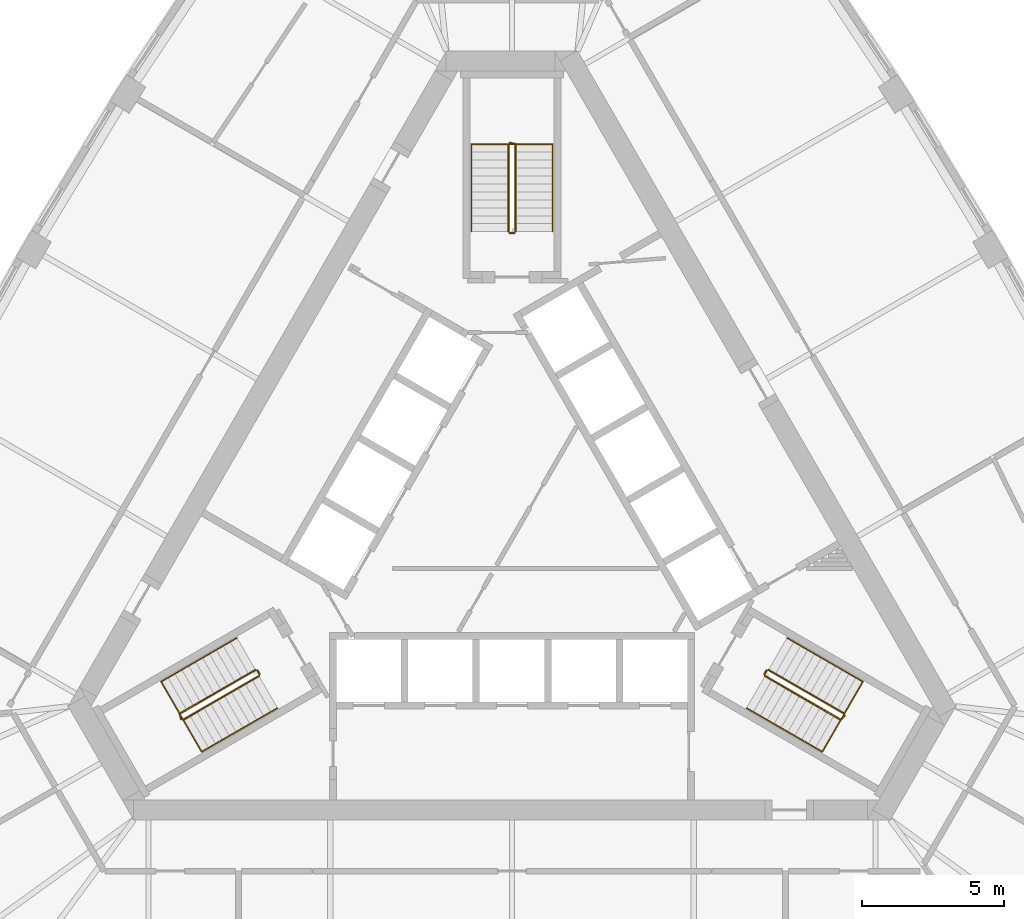
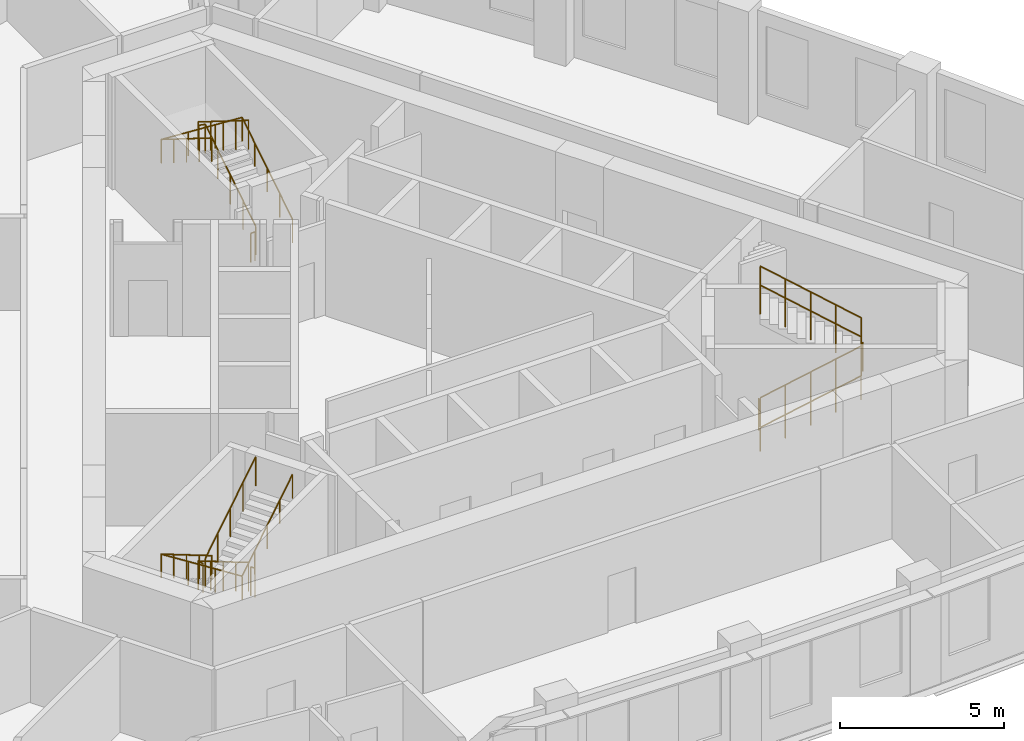
# One storey, part 10 of 10: 12 railings.
"""IFC4 building model written with IfcOpenShell, lengths in metres."""

import ifcopenshell
import ifcopenshell.guid

model = None  # the IFC model being written
_history = None  # IfcOwnerHistory: only IFC2X3 demands one
_inside = {}  # id of a spatial element -> (the spatial element, [elements in it])
_under = {}  # id of a project, library or spatial element -> (it, [spatial elements below it])
_declared = {}  # id of a project -> (the project, [libraries it declares])
_typed = {}  # id of a type object -> (the type object, [elements of that type])
_made_of = {}  # id of a material, layer set ... -> (it, [elements and type objects made of it])


def new_model(schema):
    """Start an empty IFC model of exactly this schema.

    Asked for "IFC4X3", IfcOpenShell would pick the latest addendum, in which some entities
    have other attributes; the version numbers below select the first issue.
    IFC2X3 requires an IfcOwnerHistory on every rooted entity: one is made here for all.
    """
    global model, _history
    if schema == "IFC4X3":
        model = ifcopenshell.file(schema_version=(4, 3, 0, 0))
    else:
        model = ifcopenshell.file(schema=schema)
    _inside.clear()
    _under.clear()
    _declared.clear()
    _typed.clear()
    _made_of.clear()
    _history = None
    if model.schema == "IFC2X3":
        org = make("IfcOrganization", Name="unknown")
        user = make(
            "IfcPersonAndOrganization",
            ThePerson=make("IfcPerson", FamilyName="unknown"),
            TheOrganization=org,
        )
        app = make(
            "IfcApplication",
            ApplicationDeveloper=org,
            Version="unknown",
            ApplicationFullName="unknown",
            ApplicationIdentifier="unknown",
        )
        _history = make(
            "IfcOwnerHistory",
            OwningUser=user,
            OwningApplication=app,
            ChangeAction="ADDED",
            CreationDate=0,
        )
    return model


def make(cls, **values):
    """One entity of the class cls with the attributes given. An attribute that is None is left unset."""
    return model.create_entity(
        cls, **{name: value for name, value in values.items() if value is not None}
    )


def rooted(cls, **values):
    """An entity with a GlobalId (a new one), such as an element, a storey or a relation."""
    return make(cls, GlobalId=ifcopenshell.guid.new(), OwnerHistory=_history, **values)


def si_unit(unit_type, name, prefix=None):
    """IfcSIUnit, for example si_unit("LENGTHUNIT", "METRE", prefix="MILLI")."""
    return make("IfcSIUnit", UnitType=unit_type, Prefix=prefix, Name=name)


def assignment(units):
    """IfcUnitAssignment: the units of a project."""
    return None if units is None else make("IfcUnitAssignment", Units=units)


def point(xyz):
    """IfcCartesianPoint."""
    return None if xyz is None else make("IfcCartesianPoint", Coordinates=xyz)


def direction(xyz):
    """IfcDirection."""
    return None if xyz is None else make("IfcDirection", DirectionRatios=xyz)


def frame(location, z_axis=None, x_axis=None):
    """IfcAxis2Placement3D, a coordinate frame: its origin and axes. An axis left out is left unset."""
    return make(
        "IfcAxis2Placement3D",
        Location=point(location),
        Axis=direction(z_axis),
        RefDirection=direction(x_axis),
    )


def frame_2d(location, x_axis=None):
    """IfcAxis2Placement2D, a coordinate frame in the plane: its origin and x axis."""
    return make(
        "IfcAxis2Placement2D", Location=point(location), RefDirection=direction(x_axis)
    )


def origin():
    """The frame at (0, 0, 0) with its axes left unset."""
    return frame((0.0, 0.0, 0.0))


def origin_2d():
    """The frame at (0, 0) in the plane with its x axis left unset."""
    return frame_2d((0.0, 0.0))


def place(relative_to, where):
    """IfcLocalPlacement: puts the frame where relative to a parent placement (None: the world)."""
    return make(
        "IfcLocalPlacement", PlacementRelTo=relative_to, RelativePlacement=where
    )


def context(
    kind, dimensions, precision=None, world=None, true_north=None, identifier=None
):
    """IfcGeometricRepresentationContext, for example the 3D "Model" context."""
    return make(
        "IfcGeometricRepresentationContext",
        ContextIdentifier=identifier,
        ContextType=kind,
        CoordinateSpaceDimension=dimensions,
        Precision=precision,
        WorldCoordinateSystem=world,
        TrueNorth=true_north,
    )


def subcontext(parent, identifier, kind, view, scale=None):
    """IfcGeometricRepresentationSubContext, for example "Body" below "Model"."""
    return make(
        "IfcGeometricRepresentationSubContext",
        ContextIdentifier=identifier,
        ContextType=kind,
        ParentContext=parent,
        TargetScale=scale,
        TargetView=view,
    )


def project(units=None, contexts=None):
    """IfcProject with its units and contexts."""
    return rooted(
        "IfcProject",
        Name="project",
        RepresentationContexts=contexts,
        UnitsInContext=assignment(units),
    )


def spatial(cls, under=None, at=None, **own):
    """A site, building, storey or space (cls), placed at a placement, below another one or the project."""
    s = rooted(cls, ObjectPlacement=at, **own)
    if under is not None:
        _under.setdefault(under.id(), (under, []))[1].append(s)
    return s


def profile(cls, at=None, kind="AREA", **sizes):
    """A parametric profile (cls). Its sizes go by their IFC names, for example OverallWidth=200.0."""
    return make(cls, ProfileType=kind, Position=at, **sizes)


def circle(**sizes):
    """IfcCircleProfileDef."""
    return profile("IfcCircleProfileDef", **sizes)


def extrude(swept, where, along, depth):
    """IfcExtrudedAreaSolid: the profile swept, set in the frame where, extruded along a direction by depth."""
    return make(
        "IfcExtrudedAreaSolid",
        SweptArea=swept,
        Position=where,
        ExtrudedDirection=direction(along),
        Depth=depth,
    )


def shape(context_of_items, identifier, shape_type, items):
    """IfcShapeRepresentation: the items that make up one representation, for example the "Body"."""
    return make(
        "IfcShapeRepresentation",
        ContextOfItems=context_of_items,
        RepresentationIdentifier=identifier,
        RepresentationType=shape_type,
        Items=items,
    )


def material(Name=None, Category=None):
    """IfcMaterial."""
    return make("IfcMaterial", Name=Name, Category=Category)


def made_of(thing, what):
    """Note that an element or type object is made of a material, layer set ...; save() writes the relation."""
    if what is not None:
        _made_of.setdefault(what.id(), (what, []))[1].append(thing)
    return thing


def type_object(cls, material=None, **own):
    """A type object (cls), such as IfcWallType, which elements share."""
    return made_of(rooted(cls, **own), material)


def element(
    cls,
    number,
    at=None,
    inside=None,
    cuts=None,
    type_object=None,
    material=None,
    context=None,
    identifier="Body",
    shape_type=None,
    held_by="IfcProductDefinitionShape",
    body=None,
    shapes=None,
    **own,
):
    """One element of the class cls, such as IfcWall. Its Tag is "e" and its number.

    at: its placement. inside: the storey or other place that contains it. cuts: it is an
    opening in that element (IfcRelVoidsElement). A single representation is given by context,
    identifier, shape_type and body (its items); several are given by shapes. held_by: the class
    of the entity that holds the representations. save() writes the other relations.
    """
    e = rooted(cls, Tag="e%d" % number, ObjectPlacement=at, **own)
    if body is not None:
        shapes = [shape(context, identifier, shape_type, body)]
    if shapes is not None:
        e.Representation = make(held_by, Representations=shapes)
    if inside is not None:
        _inside.setdefault(inside.id(), (inside, []))[1].append(e)
    if cuts is not None:
        rooted(
            "IfcRelVoidsElement", RelatingBuildingElement=cuts, RelatedOpeningElement=e
        )
    if type_object is not None:
        _typed.setdefault(type_object.id(), (type_object, []))[1].append(e)
    return made_of(e, material)


def aggregate(whole, parts):
    """IfcRelAggregates: a whole, such as a stair, and the parts it consists of."""
    return rooted("IfcRelAggregates", RelatingObject=whole, RelatedObjects=parts)


def save(model, path):
    """Write the relations noted so far, then the file.

    IfcRelAggregates (storeys below a building ...), IfcRelContainedInSpatialStructure (elements
    in a storey), IfcRelDefinesByType, IfcRelAssociatesMaterial and IfcRelDeclares: one each for
    every whole, place, type object, material and project.
    """
    for whole, parts in _under.values():
        aggregate(whole, parts)
    for where, things in _inside.values():
        rooted(
            "IfcRelContainedInSpatialStructure",
            RelatedElements=things,
            RelatingStructure=where,
        )
    for kind, things in _typed.values():
        rooted("IfcRelDefinesByType", RelatedObjects=things, RelatingType=kind)
    for what, things in _made_of.values():
        rooted("IfcRelAssociatesMaterial", RelatedObjects=things, RelatingMaterial=what)
    for by, libraries in _declared.values():
        rooted("IfcRelDeclares", RelatingContext=by, RelatedDefinitions=libraries)
    model.write(path)


model = new_model("IFC4")

# Units and contexts
model_context = context("Model", 3, precision=1e-05, world=origin(), true_north=direction((0.0, 1.0)))
body_context = subcontext(model_context, "Body", "Model", "MODEL_VIEW")
ifc_project = project(units=[si_unit("LENGTHUNIT", "METRE"), si_unit("AREAUNIT", "SQUARE_METRE"), si_unit("VOLUMEUNIT", "CUBIC_METRE"), si_unit("PLANEANGLEUNIT", "RADIAN"), si_unit("MASSUNIT", "GRAM", prefix="KILO")], contexts=[model_context])

# Site, building, storey
site_placement = place(None, origin())
site = spatial("IfcSite", under=ifc_project, at=site_placement, CompositionType="ELEMENT")
building_placement = place(site_placement, origin())
building = spatial("IfcBuilding", under=site, at=building_placement, Name="Mestral Congress Tower", CompositionType="ELEMENT")
storey_placement = place(building_placement, frame((0.0, 0.0, 247.800048828125)))
storey = spatial("IfcBuildingStorey", under=building, at=storey_placement, Name="L58", CompositionType="ELEMENT", Elevation=247.800048828125)

# Railings
ifc_material_1 = material(Name="Steel balustrade", Category="steel")
railing_type_1 = type_object("IfcRailingType", Name="Stair guard 1100", PredefinedType="GUARDRAIL", material=ifc_material_1)
railing_1_placement = place(storey_placement, frame((8.90087890625, -5.283203125, 0.175048828125)))
element("IfcRailing", 1, at=railing_1_placement, inside=storey, type_object=railing_type_1, Name="L58 ST1 stair guard 1", PredefinedType="GUARDRAIL", context=body_context, shape_type="SweptSolid", body=[
    extrude(circle(Radius=0.02392578125, at=origin_2d()), frame((0.0, 0.0, 1.076171875), z_axis=(0.734390191396, -0.42403051051, 0.529970917068), x_axis=(0.500026652407, 0.866010015463, 0.0)), (0.0, 0.0, 1.0), 3.6318359375),
    extrude(circle(Radius=0.02392578125, at=origin_2d()), frame((2.667236328125, -1.5400390625, 3.0009765625), z_axis=(0.695164929852, 0.718850276695, 0.0), x_axis=(-0.718850276695, 0.695164929852, 0.0)), (0.0, 0.0, 1.0), 0.2060546875),
    extrude(circle(Radius=0.02099609375, at=origin_2d()), origin(), (0.0, 0.0, 1.0), 1.052001953125),
    extrude(circle(Radius=0.02099609375, at=origin_2d()), frame((0.666748046875, -0.385009765625, 0.481201171875)), (0.0, 0.0, 1.0), 1.052001953125),
    extrude(circle(Radius=0.02099609375, at=origin_2d()), frame((1.33349609375, -0.77001953125, 0.96240234375)), (0.0, 0.0, 1.0), 1.052001953125),
    extrude(circle(Radius=0.02099609375, at=origin_2d()), frame((2.00048828125, -1.155029296875, 1.443603515625)), (0.0, 0.0, 1.0), 1.052001953125),
    extrude(circle(Radius=0.02099609375, at=origin_2d()), frame((2.667236328125, -1.5400390625, 1.9248046875)), (0.0, 0.0, 1.0), 1.052001953125),
    extrude(circle(Radius=0.02099609375, at=origin_2d()), frame((2.810546875, -1.391845703125, 1.9248046875)), (0.0, 0.0, 1.0), 1.052001953125),
])
railing_2_placement = place(storey_placement, frame((11.693115234375, -6.606689453125, 2.27490234375)))
element("IfcRailing", 2, at=railing_2_placement, inside=storey, type_object=railing_type_1, Name="L58 ST1 stair guard 2", PredefinedType="GUARDRAIL", context=body_context, shape_type="SweptSolid", body=[
    extrude(circle(Radius=0.02392578125, at=origin_2d()), frame((0.0, 0.0, 1.076171875), z_axis=(-0.734364028329, 0.424015404183, 0.530019255228), x_axis=(-0.500026652407, -0.866010015463, 0.0)), (0.0, 0.0, 1.0), 3.632080078125),
    extrude(circle(Radius=0.02099609375, at=origin_2d()), origin(), (0.0, 0.0, 1.0), 1.052001953125),
    extrude(circle(Radius=0.02099609375, at=origin_2d()), frame((-0.666748046875, 0.385009765625, 0.481201171875)), (0.0, 0.0, 1.0), 1.052001953125),
    extrude(circle(Radius=0.02099609375, at=origin_2d()), frame((-1.33349609375, 0.77001953125, 0.96240234375)), (0.0, 0.0, 1.0), 1.052001953125),
    extrude(circle(Radius=0.02099609375, at=origin_2d()), frame((-2.00048828125, 1.155029296875, 1.44384765625)), (0.0, 0.0, 1.0), 1.052001953125),
    extrude(circle(Radius=0.02099609375, at=origin_2d()), frame((-2.667236328125, 1.5400390625, 1.925048828125)), (0.0, 0.0, 1.0), 1.052001953125),
])
railing_3_placement = place(storey_placement, frame((8.882568359375, -5.21484375, 0.0)))
element("IfcRailing", 3, at=railing_3_placement, inside=storey, type_object=railing_type_1, Name="L58 ST1 stair guard 3", PredefinedType="GUARDRAIL", context=body_context, shape_type="SweptSolid", body=[
    extrude(circle(Radius=0.02392578125, at=origin_2d()), frame((0.0, 0.0, 1.076171875), z_axis=(0.499816412211, 0.866131372301, 0.0), x_axis=(-0.866131372301, 0.499816412211, 0.0)), (0.0, 0.0, 1.0), 0.14990234375),
    extrude(circle(Radius=0.02099609375, at=origin_2d()), origin(), (0.0, 0.0, 1.0), 1.052001953125),
    extrude(circle(Radius=0.02099609375, at=origin_2d()), frame((0.074951171875, 0.1298828125, 0.0)), (0.0, 0.0, 1.0), 1.052001953125),
])
railing_4_placement = place(storey_placement, frame((0.125, 10.35009765625, 0.175048828125)))
element("IfcRailing", 4, at=railing_4_placement, inside=storey, type_object=railing_type_1, Name="L58 ST2 stair guard 1", PredefinedType="GUARDRAIL", context=body_context, shape_type="SweptSolid", body=[
    extrude(circle(Radius=0.02392578125, at=origin_2d()), frame((0.0, 0.0, 1.076171875), z_axis=(0.0, 0.848009633417, 0.529980812513), x_axis=(-1.0, 0.0, 0.0)), (0.0, 0.0, 1.0), 3.6318359375),
    extrude(circle(Radius=0.02392578125, at=origin_2d()), frame((0.0, 3.079833984375, 3.0009765625), z_axis=(-0.970072785993, 0.242814311512, 0.0), x_axis=(-0.242814311512, -0.970072785993, 0.0)), (0.0, 0.0, 1.0), 0.2060546875),
    extrude(circle(Radius=0.02099609375, at=origin_2d()), origin(), (0.0, 0.0, 1.0), 1.052001953125),
    extrude(circle(Radius=0.02099609375, at=origin_2d()), frame((0.0, 0.77001953125, 0.481201171875)), (0.0, 0.0, 1.0), 1.052001953125),
    extrude(circle(Radius=0.02099609375, at=origin_2d()), frame((0.0, 1.5400390625, 0.96240234375)), (0.0, 0.0, 1.0), 1.052001953125),
    extrude(circle(Radius=0.02099609375, at=origin_2d()), frame((0.0, 2.309814453125, 1.443603515625)), (0.0, 0.0, 1.0), 1.052001953125),
    extrude(circle(Radius=0.02099609375, at=origin_2d()), frame((0.0, 3.079833984375, 1.9248046875)), (0.0, 0.0, 1.0), 1.052001953125),
    extrude(circle(Radius=0.02099609375, at=origin_2d()), frame((-0.199951171875, 3.1298828125, 1.9248046875)), (0.0, 0.0, 1.0), 1.052001953125),
])
railing_5_placement = place(storey_placement, frame((-0.125, 13.429931640625, 2.27490234375)))
element("IfcRailing", 5, at=railing_5_placement, inside=storey, type_object=railing_type_1, Name="L58 ST2 stair guard 2", PredefinedType="GUARDRAIL", context=body_context, shape_type="SweptSolid", body=[
    extrude(circle(Radius=0.02392578125, at=origin_2d()), frame((0.0, 0.0, 1.076171875), z_axis=(0.0, -0.847979421464, 0.530029150871), x_axis=(1.0, 0.0, 0.0)), (0.0, 0.0, 1.0), 3.632080078125),
    extrude(circle(Radius=0.02099609375, at=origin_2d()), origin(), (0.0, 0.0, 1.0), 1.052001953125),
    extrude(circle(Radius=0.02099609375, at=origin_2d()), frame((0.0, -0.77001953125, 0.481201171875)), (0.0, 0.0, 1.0), 1.052001953125),
    extrude(circle(Radius=0.02099609375, at=origin_2d()), frame((0.0, -1.5400390625, 0.96240234375)), (0.0, 0.0, 1.0), 1.052001953125),
    extrude(circle(Radius=0.02099609375, at=origin_2d()), frame((0.0, -2.309814453125, 1.44384765625)), (0.0, 0.0, 1.0), 1.052001953125),
    extrude(circle(Radius=0.02099609375, at=origin_2d()), frame((0.0, -3.079833984375, 1.925048828125)), (0.0, 0.0, 1.0), 1.052001953125),
])
railing_6_placement = place(storey_placement, frame((0.074951171875, 10.300048828125, 0.0)))
element("IfcRailing", 6, at=railing_6_placement, inside=storey, type_object=railing_type_1, Name="L58 ST2 stair guard 3", PredefinedType="GUARDRAIL", context=body_context, shape_type="SweptSolid", body=[
    extrude(circle(Radius=0.02392578125, at=origin_2d()), frame((0.0, 0.0, 1.076171875), z_axis=(-1.0, 0.0, 0.0), x_axis=(0.0, -1.0, 0.0)), (0.0, 0.0, 1.0), 0.14990234375),
    extrude(circle(Radius=0.02099609375, at=origin_2d()), origin(), (0.0, 0.0, 1.0), 1.052001953125),
    extrude(circle(Radius=0.02099609375, at=origin_2d()), frame((-0.14990234375, 0.0, 0.0)), (0.0, 0.0, 1.0), 1.052001953125),
])
railing_7_placement = place(storey_placement, frame((-9.02587890625, -5.066650390625, 0.175048828125)))
element("IfcRailing", 7, at=railing_7_placement, inside=storey, type_object=railing_type_1, Name="L58 ST3 stair guard 1", PredefinedType="GUARDRAIL", context=body_context, shape_type="SweptSolid", body=[
    extrude(circle(Radius=0.02392578125, at=origin_2d()), frame((0.0, 0.0, 1.076171875), z_axis=(-0.734390191396, -0.42403051051, 0.529970917068), x_axis=(0.500026652407, -0.866010015463, 0.0)), (0.0, 0.0, 1.0), 3.6318359375),
    extrude(circle(Radius=0.02392578125, at=origin_2d()), frame((-2.667236328125, -1.5400390625, 3.0009765625), z_axis=(0.274721127897, -0.961523947641, 0.0), x_axis=(0.961523947641, 0.274721127897, 0.0)), (0.0, 0.0, 1.0), 0.2060546875),
    extrude(circle(Radius=0.02099609375, at=origin_2d()), origin(), (0.0, 0.0, 1.0), 1.052001953125),
    extrude(circle(Radius=0.02099609375, at=origin_2d()), frame((-0.666748046875, -0.385009765625, 0.481201171875)), (0.0, 0.0, 1.0), 1.052001953125),
    extrude(circle(Radius=0.02099609375, at=origin_2d()), frame((-1.33349609375, -0.77001953125, 0.96240234375)), (0.0, 0.0, 1.0), 1.052001953125),
    extrude(circle(Radius=0.02099609375, at=origin_2d()), frame((-2.00048828125, -1.155029296875, 1.443603515625)), (0.0, 0.0, 1.0), 1.052001953125),
    extrude(circle(Radius=0.02099609375, at=origin_2d()), frame((-2.667236328125, -1.5400390625, 1.9248046875)), (0.0, 0.0, 1.0), 1.052001953125),
    extrude(circle(Radius=0.02099609375, at=origin_2d()), frame((-2.610595703125, -1.73828125, 1.9248046875)), (0.0, 0.0, 1.0), 1.052001953125),
])
railing_8_placement = place(storey_placement, frame((-11.568115234375, -6.8232421875, 2.27490234375)))
element("IfcRailing", 8, at=railing_8_placement, inside=storey, type_object=railing_type_1, Name="L58 ST3 stair guard 2", PredefinedType="GUARDRAIL", context=body_context, shape_type="SweptSolid", body=[
    extrude(circle(Radius=0.02392578125, at=origin_2d()), frame((0.0, 0.0, 1.076171875), z_axis=(0.734364028329, 0.424015404183, 0.530019255228), x_axis=(-0.500026652407, 0.866010015463, 0.0)), (0.0, 0.0, 1.0), 3.632080078125),
    extrude(circle(Radius=0.02099609375, at=origin_2d()), origin(), (0.0, 0.0, 1.0), 1.052001953125),
    extrude(circle(Radius=0.02099609375, at=origin_2d()), frame((0.666748046875, 0.385009765625, 0.481201171875)), (0.0, 0.0, 1.0), 1.052001953125),
    extrude(circle(Radius=0.02099609375, at=origin_2d()), frame((1.33349609375, 0.77001953125, 0.96240234375)), (0.0, 0.0, 1.0), 1.052001953125),
    extrude(circle(Radius=0.02099609375, at=origin_2d()), frame((2.00048828125, 1.155029296875, 1.44384765625)), (0.0, 0.0, 1.0), 1.052001953125),
    extrude(circle(Radius=0.02099609375, at=origin_2d()), frame((2.667236328125, 1.5400390625, 1.925048828125)), (0.0, 0.0, 1.0), 1.052001953125),
])
railing_9_placement = place(storey_placement, frame((-8.95751953125, -5.0849609375, 0.0)))
element("IfcRailing", 9, at=railing_9_placement, inside=storey, type_object=railing_type_1, Name="L58 ST3 stair guard 3", PredefinedType="GUARDRAIL", context=body_context, shape_type="SweptSolid", body=[
    extrude(circle(Radius=0.02392578125, at=origin_2d()), frame((0.0, 0.0, 1.076171875), z_axis=(0.499816412211, -0.866131372301, 0.0), x_axis=(0.866131372301, 0.499816412211, 0.0)), (0.0, 0.0, 1.0), 0.14990234375),
    extrude(circle(Radius=0.02099609375, at=origin_2d()), origin(), (0.0, 0.0, 1.0), 1.052001953125),
    extrude(circle(Radius=0.02099609375, at=origin_2d()), frame((0.074951171875, -0.1298828125, 0.0)), (0.0, 0.0, 1.0), 1.052001953125),
])
ifc_material_2 = material(Name="Steel handrail", Category="steel")
railing_type_2 = type_object("IfcRailingType", Name="Stair handrail 900", PredefinedType="HANDRAIL", material=ifc_material_2)
railing_10_placement = place(storey_placement, frame((8.2509765625, -6.4091796875, 0.175048828125)))
element("IfcRailing", 10, at=railing_10_placement, inside=storey, type_object=railing_type_2, Name="L58 ST1 stair handrail 1", PredefinedType="HANDRAIL", context=body_context, shape_type="SweptSolid", body=[
    extrude(circle(Radius=0.02392578125, at=origin_2d()), frame((0.0, 0.0, 0.8759765625), z_axis=(0.734411123532, -0.423975373557, 0.529986022693), x_axis=(0.499967199496, 0.866044340336, 0.0)), (0.0, 0.0, 1.0), 3.6318359375),
    extrude(circle(Radius=0.02392578125, at=origin_2d()), frame((2.667236328125, -1.539794921875, 2.80078125), z_axis=(0.499095769026, 0.864375386171, 0.061307463833), x_axis=(-0.866004402611, 0.500036373335, 0.0)), (0.0, 0.0, 1.0), 2.855224609375),
    extrude(circle(Radius=0.02392578125, at=origin_2d()), frame((4.09228515625, 0.92822265625, 2.9755859375), z_axis=(-0.734394994316, 0.423994474112, 0.52999309264), x_axis=(-0.499992328818, -0.866029832698, 0.0)), (0.0, 0.0, 1.0), 3.63232421875),
    extrude(circle(Radius=0.02099609375, at=origin_2d()), origin(), (0.0, 0.0, 1.0), 0.851806640625),
    extrude(circle(Radius=0.02099609375, at=origin_2d()), frame((0.666748046875, -0.385009765625, 0.481201171875)), (0.0, 0.0, 1.0), 0.851806640625),
    extrude(circle(Radius=0.02099609375, at=origin_2d()), frame((1.33349609375, -0.77001953125, 0.96240234375)), (0.0, 0.0, 1.0), 0.851806640625),
    extrude(circle(Radius=0.02099609375, at=origin_2d()), frame((2.00048828125, -1.15478515625, 1.443603515625)), (0.0, 0.0, 1.0), 0.851806640625),
    extrude(circle(Radius=0.02099609375, at=origin_2d()), frame((2.667236328125, -1.539794921875, 1.9248046875)), (0.0, 0.0, 1.0), 0.851806640625),
    extrude(circle(Radius=0.02099609375, at=origin_2d()), frame((3.142333984375, -0.717041015625, 1.983154296875)), (0.0, 0.0, 1.0), 0.851806640625),
    extrude(circle(Radius=0.02099609375, at=origin_2d()), frame((3.6171875, 0.10546875, 2.04150390625)), (0.0, 0.0, 1.0), 0.851806640625),
    extrude(circle(Radius=0.02099609375, at=origin_2d()), frame((4.09228515625, 0.92822265625, 2.099853515625)), (0.0, 0.0, 1.0), 0.851806640625),
    extrude(circle(Radius=0.02099609375, at=origin_2d()), frame((3.42529296875, 1.313232421875, 2.5810546875)), (0.0, 0.0, 1.0), 0.851806640625),
    extrude(circle(Radius=0.02099609375, at=origin_2d()), frame((2.758544921875, 1.6982421875, 3.0625)), (0.0, 0.0, 1.0), 0.851806640625),
    extrude(circle(Radius=0.02099609375, at=origin_2d()), frame((2.091796875, 2.083251953125, 3.543701171875)), (0.0, 0.0, 1.0), 0.851806640625),
    extrude(circle(Radius=0.02099609375, at=origin_2d()), frame((1.4248046875, 2.46826171875, 4.02490234375)), (0.0, 0.0, 1.0), 0.851806640625),
])
railing_11_placement = place(storey_placement, frame((1.425048828125, 10.35009765625, 0.175048828125)))
element("IfcRailing", 11, at=railing_11_placement, inside=storey, type_object=railing_type_2, Name="L58 ST2 stair handrail 1", PredefinedType="HANDRAIL", context=body_context, shape_type="SweptSolid", body=[
    extrude(circle(Radius=0.02392578125, at=origin_2d()), frame((0.0, 0.0, 0.8759765625), z_axis=(0.0, 0.848009633417, 0.529980812513), x_axis=(-1.0, 0.0, 0.0)), (0.0, 0.0, 1.0), 3.6318359375),
    extrude(circle(Radius=0.02392578125, at=origin_2d()), frame((0.0, 3.079833984375, 2.80078125), z_axis=(-0.998119201106, 0.0, 0.061303021003), x_axis=(0.0, -1.0, 0.0)), (0.0, 0.0, 1.0), 2.85546875),
    extrude(circle(Radius=0.02392578125, at=origin_2d()), frame((-2.85009765625, 3.079833984375, 2.9755859375), z_axis=(0.0, -0.847979421464, 0.530029150871), x_axis=(1.0, 0.0, 0.0)), (0.0, 0.0, 1.0), 3.632080078125),
    extrude(circle(Radius=0.02099609375, at=origin_2d()), origin(), (0.0, 0.0, 1.0), 0.851806640625),
    extrude(circle(Radius=0.02099609375, at=origin_2d()), frame((0.0, 0.77001953125, 0.481201171875)), (0.0, 0.0, 1.0), 0.851806640625),
    extrude(circle(Radius=0.02099609375, at=origin_2d()), frame((0.0, 1.5400390625, 0.96240234375)), (0.0, 0.0, 1.0), 0.851806640625),
    extrude(circle(Radius=0.02099609375, at=origin_2d()), frame((0.0, 2.309814453125, 1.443603515625)), (0.0, 0.0, 1.0), 0.851806640625),
    extrude(circle(Radius=0.02099609375, at=origin_2d()), frame((0.0, 3.079833984375, 1.9248046875)), (0.0, 0.0, 1.0), 0.851806640625),
    extrude(circle(Radius=0.02099609375, at=origin_2d()), frame((-0.949951171875, 3.079833984375, 1.983154296875)), (0.0, 0.0, 1.0), 0.851806640625),
    extrude(circle(Radius=0.02099609375, at=origin_2d()), frame((-1.900146484375, 3.079833984375, 2.04150390625)), (0.0, 0.0, 1.0), 0.851806640625),
    extrude(circle(Radius=0.02099609375, at=origin_2d()), frame((-2.85009765625, 3.079833984375, 2.099853515625)), (0.0, 0.0, 1.0), 0.851806640625),
    extrude(circle(Radius=0.02099609375, at=origin_2d()), frame((-2.85009765625, 2.309814453125, 2.5810546875)), (0.0, 0.0, 1.0), 0.851806640625),
    extrude(circle(Radius=0.02099609375, at=origin_2d()), frame((-2.85009765625, 1.5400390625, 3.0625)), (0.0, 0.0, 1.0), 0.851806640625),
    extrude(circle(Radius=0.02099609375, at=origin_2d()), frame((-2.85009765625, 0.77001953125, 3.543701171875)), (0.0, 0.0, 1.0), 0.851806640625),
    extrude(circle(Radius=0.02099609375, at=origin_2d()), frame((-2.85009765625, 0.0, 4.02490234375)), (0.0, 0.0, 1.0), 0.851806640625),
])
railing_12_placement = place(storey_placement, frame((-9.67578125, -3.94091796875, 0.175048828125)))
element("IfcRailing", 12, at=railing_12_placement, inside=storey, type_object=railing_type_2, Name="L58 ST3 stair handrail 1", PredefinedType="HANDRAIL", context=body_context, shape_type="SweptSolid", body=[
    extrude(circle(Radius=0.02392578125, at=origin_2d()), frame((0.0, 0.0, 0.8759765625), z_axis=(-0.734421155904, -0.424009578203, 0.529944755001), x_axis=(0.499992328818, -0.866029832698, 0.0)), (0.0, 0.0, 1.0), 3.632080078125),
    extrude(circle(Radius=0.02392578125, at=origin_2d()), frame((-2.66748046875, -1.5400390625, 2.80078125), z_axis=(0.499095769026, -0.864375386171, 0.061307463833), x_axis=(0.866004402611, 0.500036373335, 0.0)), (0.0, 0.0, 1.0), 2.855224609375),
    extrude(circle(Radius=0.02392578125, at=origin_2d()), frame((-1.242431640625, -4.008056640625, 2.9755859375), z_axis=(0.734384958227, 0.423960268333, 0.530034361155), x_axis=(-0.499967199496, 0.866044340336, 0.0)), (0.0, 0.0, 1.0), 3.6318359375),
    extrude(circle(Radius=0.02099609375, at=origin_2d()), origin(), (0.0, 0.0, 1.0), 0.851806640625),
    extrude(circle(Radius=0.02099609375, at=origin_2d()), frame((-0.6669921875, -0.385009765625, 0.481201171875)), (0.0, 0.0, 1.0), 0.851806640625),
    extrude(circle(Radius=0.02099609375, at=origin_2d()), frame((-1.333740234375, -0.77001953125, 0.96240234375)), (0.0, 0.0, 1.0), 0.851806640625),
    extrude(circle(Radius=0.02099609375, at=origin_2d()), frame((-2.00048828125, -1.155029296875, 1.443603515625)), (0.0, 0.0, 1.0), 0.851806640625),
    extrude(circle(Radius=0.02099609375, at=origin_2d()), frame((-2.66748046875, -1.5400390625, 1.9248046875)), (0.0, 0.0, 1.0), 0.851806640625),
    extrude(circle(Radius=0.02099609375, at=origin_2d()), frame((-2.1923828125, -2.36279296875, 1.983154296875)), (0.0, 0.0, 1.0), 0.851806640625),
    extrude(circle(Radius=0.02099609375, at=origin_2d()), frame((-1.717529296875, -3.185302734375, 2.04150390625)), (0.0, 0.0, 1.0), 0.851806640625),
    extrude(circle(Radius=0.02099609375, at=origin_2d()), frame((-1.242431640625, -4.008056640625, 2.099853515625)), (0.0, 0.0, 1.0), 0.851806640625),
    extrude(circle(Radius=0.02099609375, at=origin_2d()), frame((-0.57568359375, -3.623046875, 2.5810546875)), (0.0, 0.0, 1.0), 0.851806640625),
    extrude(circle(Radius=0.02099609375, at=origin_2d()), frame((0.09130859375, -3.23828125, 3.0625)), (0.0, 0.0, 1.0), 0.851806640625),
    extrude(circle(Radius=0.02099609375, at=origin_2d()), frame((0.758056640625, -2.853271484375, 3.543701171875)), (0.0, 0.0, 1.0), 0.851806640625),
    extrude(circle(Radius=0.02099609375, at=origin_2d()), frame((1.4248046875, -2.46826171875, 4.02490234375)), (0.0, 0.0, 1.0), 0.851806640625),
])

save(model, "model.ifc")
